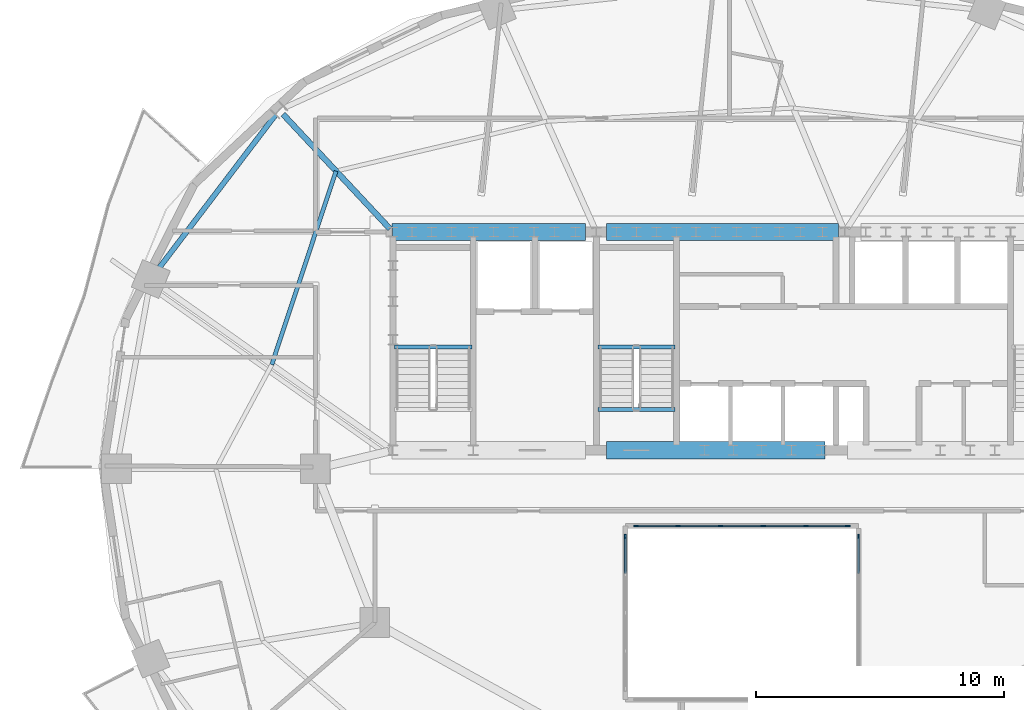
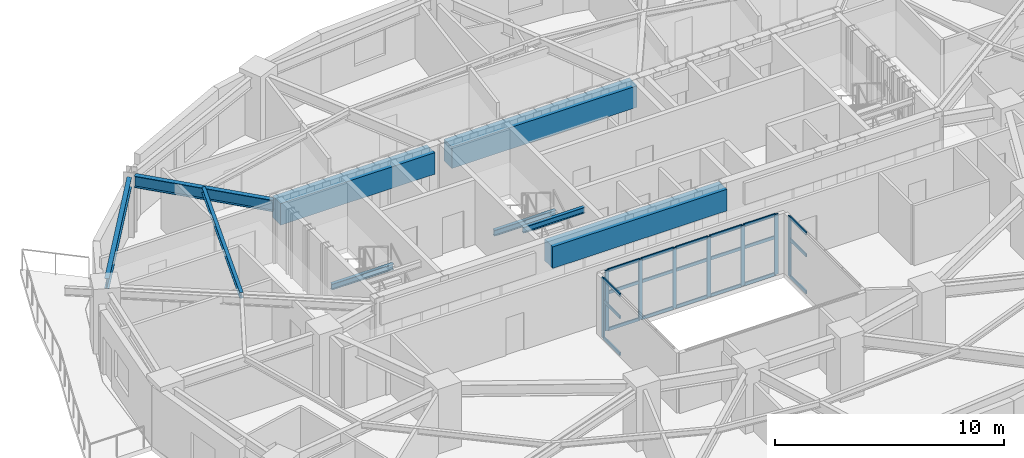
# One storey, part 3 of 13: 29 members, 9 beams, 3 elements without a shape of their own.
"""IFC4 building model written with IfcOpenShell, lengths in metres."""

from ifc_helpers import new_model, si_unit, direction, frame, origin, origin_2d, place, context, subcontext, project, spatial, rectangle, i_section, extrude, material, material_profile, profile_set, type_object, element, aggregate, save


model = new_model("IFC4")

# Units and contexts
model_context = context("Model", 3, precision=1e-05, world=origin(), true_north=direction((0.0, 1.0)))
body_context = subcontext(model_context, "Body", "Model", "MODEL_VIEW")
ifc_project = project(units=[si_unit("LENGTHUNIT", "METRE"), si_unit("AREAUNIT", "SQUARE_METRE"), si_unit("VOLUMEUNIT", "CUBIC_METRE"), si_unit("PLANEANGLEUNIT", "RADIAN"), si_unit("MASSUNIT", "GRAM", prefix="KILO")], contexts=[model_context])

# Site, building, storey
site_placement = place(None, origin())
site = spatial("IfcSite", under=ifc_project, at=site_placement, CompositionType="ELEMENT")
building_placement = place(site_placement, origin())
building = spatial("IfcBuilding", under=site, at=building_placement, Name="Haldorwick Loom Tower", CompositionType="ELEMENT")
storey_placement = place(building_placement, frame((0.0, 0.0, 178.60009765625)))
storey = spatial("IfcBuildingStorey", under=building, at=storey_placement, Name="L48", CompositionType="ELEMENT", Elevation=178.60009765625)

# Curtain wall, members
ifc_material_1 = material(Name="Thermally Broken Anodized Aluminium Curtain Wall Framing", Category="aluminium")
curtain_wall_type = type_object("IfcCurtainWallType", Name="ARC-CW-03", PredefinedType="NOTDEFINED", material=ifc_material_1)
curtain_wall_1_placement = place(storey_placement, origin())
curtain_wall_1 = element("IfcCurtainWall", 1, at=curtain_wall_1_placement, inside=storey, type_object=curtain_wall_type, Name="L48 Atrium Glazed Screen N", PredefinedType="NOTDEFINED")
ifc_material_profile_1 = material_profile(ifc_material_1, rectangle(XDim=0.06591796875, YDim=0.18505859375, at=origin_2d()), Name="ALU_MUL_66X185", Category="aluminium")
ifc_profile_set_1 = profile_set([ifc_material_profile_1], Name="Thermally Broken Anodized Aluminium Curtain Wall Framing")
member_type_1 = type_object("IfcMemberType", Name="ARC-CWM-03", PredefinedType="MULLION", material=ifc_profile_set_1)
member_1_placement = place(storey_placement, frame((31.73291015625, 23.699951171875, 0.0), z_axis=(0.0, 0.0, 1.0), x_axis=(0.0, 1.0, 0.0)))
member_1 = element("IfcMember", 2, at=member_1_placement, type_object=member_type_1, Name="CW-03 mullion 1", PredefinedType="MULLION", context=body_context, shape_type="SweptSolid", body=[
    extrude(rectangle(XDim=0.06591796875, YDim=0.18505859375, at=origin_2d()), origin(), (0.0, 0.0, 1.0), 3.2099609375),
])
member_2_placement = place(storey_placement, frame((33.419921875, 23.699951171875, 0.0), z_axis=(0.0, 0.0, 1.0), x_axis=(0.0, 1.0, 0.0)))
member_2 = element("IfcMember", 3, at=member_2_placement, type_object=member_type_1, Name="CW-03 mullion 2", PredefinedType="MULLION", context=body_context, shape_type="SweptSolid", body=[
    extrude(rectangle(XDim=0.06591796875, YDim=0.18505859375, at=origin_2d()), origin(), (0.0, 0.0, 1.0), 3.2099609375),
])
member_3_placement = place(storey_placement, frame((35.139892578125, 23.699951171875, 0.0), z_axis=(0.0, 0.0, 1.0), x_axis=(0.0, 1.0, 0.0)))
member_3 = element("IfcMember", 4, at=member_3_placement, type_object=member_type_1, Name="CW-03 mullion 3", PredefinedType="MULLION", context=body_context, shape_type="SweptSolid", body=[
    extrude(rectangle(XDim=0.06591796875, YDim=0.18505859375, at=origin_2d()), origin(), (0.0, 0.0, 1.0), 3.2099609375),
])
member_4_placement = place(storey_placement, frame((36.860107421875, 23.699951171875, 0.0), z_axis=(0.0, 0.0, 1.0), x_axis=(0.0, 1.0, 0.0)))
member_4 = element("IfcMember", 5, at=member_4_placement, type_object=member_type_1, Name="CW-03 mullion 4", PredefinedType="MULLION", context=body_context, shape_type="SweptSolid", body=[
    extrude(rectangle(XDim=0.06591796875, YDim=0.18505859375, at=origin_2d()), origin(), (0.0, 0.0, 1.0), 3.2099609375),
])
member_5_placement = place(storey_placement, frame((38.580078125, 23.699951171875, 0.0), z_axis=(0.0, 0.0, 1.0), x_axis=(0.0, 1.0, 0.0)))
member_5 = element("IfcMember", 6, at=member_5_placement, type_object=member_type_1, Name="CW-03 mullion 5", PredefinedType="MULLION", context=body_context, shape_type="SweptSolid", body=[
    extrude(rectangle(XDim=0.06591796875, YDim=0.18505859375, at=origin_2d()), origin(), (0.0, 0.0, 1.0), 3.2099609375),
])
member_6_placement = place(storey_placement, frame((40.26708984375, 23.699951171875, 0.0), z_axis=(0.0, 0.0, 1.0), x_axis=(0.0, 1.0, 0.0)))
member_6 = element("IfcMember", 7, at=member_6_placement, type_object=member_type_1, Name="CW-03 mullion 6", PredefinedType="MULLION", context=body_context, shape_type="SweptSolid", body=[
    extrude(rectangle(XDim=0.06591796875, YDim=0.18505859375, at=origin_2d()), origin(), (0.0, 0.0, 1.0), 3.2099609375),
])

# Curtain wall, member
curtain_wall_2_placement = place(storey_placement, origin())
curtain_wall_2 = element("IfcCurtainWall", 8, at=curtain_wall_2_placement, inside=storey, type_object=curtain_wall_type, Name="L48 Atrium Glazed Screen W", PredefinedType="NOTDEFINED")
member_7_placement = place(storey_placement, frame((31.300048828125, 23.26708984375, 0.0), z_axis=(0.0, 0.0, 1.0), x_axis=(-1.0, 0.0, 0.0)))
member_7 = element("IfcMember", 9, at=member_7_placement, type_object=member_type_1, Name="CW-03 mullion 5", PredefinedType="MULLION", context=body_context, shape_type="SweptSolid", body=[
    extrude(rectangle(XDim=0.06591796875, YDim=0.18505859375, at=origin_2d()), origin(), (0.0, 0.0, 1.0), 3.2099609375),
])

curtain_wall_3_placement = place(storey_placement, origin())
curtain_wall_3 = element("IfcCurtainWall", 10, at=curtain_wall_3_placement, inside=storey, type_object=curtain_wall_type, Name="L48 Atrium Glazed Screen E", PredefinedType="NOTDEFINED")
member_8_placement = place(storey_placement, frame((40.699951171875, 23.26708984375, 0.0), z_axis=(0.0, 0.0, 1.0), x_axis=(1.0, 0.0, 0.0)))
member_8 = element("IfcMember", 11, at=member_8_placement, type_object=member_type_1, Name="CW-03 mullion 1", PredefinedType="MULLION", context=body_context, shape_type="SweptSolid", body=[
    extrude(rectangle(XDim=0.06591796875, YDim=0.18505859375, at=origin_2d()), origin(), (0.0, 0.0, 1.0), 3.2099609375),
])

# Member
ifc_material_profile_2 = material_profile(ifc_material_1, rectangle(XDim=0.06591796875, YDim=0.1650390625, at=origin_2d()), Name="ALU_TRN_66X165", Category="aluminium")
ifc_profile_set_2 = profile_set([ifc_material_profile_2], Name="Thermally Broken Anodized Aluminium Curtain Wall Framing")
member_type_2 = type_object("IfcMemberType", Name="ARC-CWT-03", PredefinedType="USERDEFINED", material=ifc_profile_set_2)
member_9_placement = place(storey_placement, frame((31.76611328125, 23.699951171875, 0.032958984375), z_axis=(1.0, 0.0, 0.0), x_axis=(0.0, 1.0, 0.0)))
member_9 = element("IfcMember", 12, at=member_9_placement, type_object=member_type_2, Name="CW-03 transom 1.1", ObjectType="TRANSOM", PredefinedType="USERDEFINED", context=body_context, shape_type="SweptSolid", body=[
    extrude(rectangle(XDim=0.06591796875, YDim=0.1650390625, at=origin_2d()), origin(), (0.0, 0.0, 1.0), 1.620849609375),
])

member_10_placement = place(storey_placement, frame((31.76611328125, 23.699951171875, 2.0), z_axis=(1.0, 0.0, 0.0), x_axis=(0.0, 1.0, 0.0)))
member_10 = element("IfcMember", 13, at=member_10_placement, type_object=member_type_2, Name="CW-03 transom 1.2", ObjectType="TRANSOM", PredefinedType="USERDEFINED", context=body_context, shape_type="SweptSolid", body=[
    extrude(rectangle(XDim=0.06591796875, YDim=0.1650390625, at=origin_2d()), origin(), (0.0, 0.0, 1.0), 1.620849609375),
])

member_11_placement = place(storey_placement, frame((31.76611328125, 23.699951171875, 3.177001953125), z_axis=(1.0, 0.0, 0.0), x_axis=(0.0, 1.0, 0.0)))
member_11 = element("IfcMember", 14, at=member_11_placement, type_object=member_type_2, Name="CW-03 transom 1.3", ObjectType="TRANSOM", PredefinedType="USERDEFINED", context=body_context, shape_type="SweptSolid", body=[
    extrude(rectangle(XDim=0.06591796875, YDim=0.1650390625, at=origin_2d()), origin(), (0.0, 0.0, 1.0), 1.620849609375),
])

member_12_placement = place(storey_placement, frame((33.452880859375, 23.699951171875, 0.032958984375), z_axis=(1.0, 0.0, 0.0), x_axis=(0.0, 1.0, 0.0)))
member_12 = element("IfcMember", 15, at=member_12_placement, type_object=member_type_2, Name="CW-03 transom 2.1", ObjectType="TRANSOM", PredefinedType="USERDEFINED", context=body_context, shape_type="SweptSolid", body=[
    extrude(rectangle(XDim=0.06591796875, YDim=0.1650390625, at=origin_2d()), origin(), (0.0, 0.0, 1.0), 1.654052734375),
])

member_13_placement = place(storey_placement, frame((33.452880859375, 23.699951171875, 2.0), z_axis=(1.0, 0.0, 0.0), x_axis=(0.0, 1.0, 0.0)))
member_13 = element("IfcMember", 16, at=member_13_placement, type_object=member_type_2, Name="CW-03 transom 2.2", ObjectType="TRANSOM", PredefinedType="USERDEFINED", context=body_context, shape_type="SweptSolid", body=[
    extrude(rectangle(XDim=0.06591796875, YDim=0.1650390625, at=origin_2d()), origin(), (0.0, 0.0, 1.0), 1.654052734375),
])

member_14_placement = place(storey_placement, frame((33.452880859375, 23.699951171875, 3.177001953125), z_axis=(1.0, 0.0, 0.0), x_axis=(0.0, 1.0, 0.0)))
member_14 = element("IfcMember", 17, at=member_14_placement, type_object=member_type_2, Name="CW-03 transom 2.3", ObjectType="TRANSOM", PredefinedType="USERDEFINED", context=body_context, shape_type="SweptSolid", body=[
    extrude(rectangle(XDim=0.06591796875, YDim=0.1650390625, at=origin_2d()), origin(), (0.0, 0.0, 1.0), 1.654052734375),
])

member_15_placement = place(storey_placement, frame((35.173095703125, 23.699951171875, 0.032958984375), z_axis=(1.0, 0.0, 0.0), x_axis=(0.0, 1.0, 0.0)))
member_15 = element("IfcMember", 18, at=member_15_placement, type_object=member_type_2, Name="CW-03 transom 3.1", ObjectType="TRANSOM", PredefinedType="USERDEFINED", context=body_context, shape_type="SweptSolid", body=[
    extrude(rectangle(XDim=0.06591796875, YDim=0.1650390625, at=origin_2d()), origin(), (0.0, 0.0, 1.0), 1.65380859375),
])

member_16_placement = place(storey_placement, frame((35.173095703125, 23.699951171875, 2.0), z_axis=(1.0, 0.0, 0.0), x_axis=(0.0, 1.0, 0.0)))
member_16 = element("IfcMember", 19, at=member_16_placement, type_object=member_type_2, Name="CW-03 transom 3.2", ObjectType="TRANSOM", PredefinedType="USERDEFINED", context=body_context, shape_type="SweptSolid", body=[
    extrude(rectangle(XDim=0.06591796875, YDim=0.1650390625, at=origin_2d()), origin(), (0.0, 0.0, 1.0), 1.65380859375),
])

member_17_placement = place(storey_placement, frame((35.173095703125, 23.699951171875, 3.177001953125), z_axis=(1.0, 0.0, 0.0), x_axis=(0.0, 1.0, 0.0)))
member_17 = element("IfcMember", 20, at=member_17_placement, type_object=member_type_2, Name="CW-03 transom 3.3", ObjectType="TRANSOM", PredefinedType="USERDEFINED", context=body_context, shape_type="SweptSolid", body=[
    extrude(rectangle(XDim=0.06591796875, YDim=0.1650390625, at=origin_2d()), origin(), (0.0, 0.0, 1.0), 1.65380859375),
])

member_18_placement = place(storey_placement, frame((36.89306640625, 23.699951171875, 0.032958984375), z_axis=(1.0, 0.0, 0.0), x_axis=(0.0, 1.0, 0.0)))
member_18 = element("IfcMember", 21, at=member_18_placement, type_object=member_type_2, Name="CW-03 transom 4.1", ObjectType="TRANSOM", PredefinedType="USERDEFINED", context=body_context, shape_type="SweptSolid", body=[
    extrude(rectangle(XDim=0.06591796875, YDim=0.1650390625, at=origin_2d()), origin(), (0.0, 0.0, 1.0), 1.654052734375),
])

member_19_placement = place(storey_placement, frame((36.89306640625, 23.699951171875, 2.0), z_axis=(1.0, 0.0, 0.0), x_axis=(0.0, 1.0, 0.0)))
member_19 = element("IfcMember", 22, at=member_19_placement, type_object=member_type_2, Name="CW-03 transom 4.2", ObjectType="TRANSOM", PredefinedType="USERDEFINED", context=body_context, shape_type="SweptSolid", body=[
    extrude(rectangle(XDim=0.06591796875, YDim=0.1650390625, at=origin_2d()), origin(), (0.0, 0.0, 1.0), 1.654052734375),
])

member_20_placement = place(storey_placement, frame((36.89306640625, 23.699951171875, 3.177001953125), z_axis=(1.0, 0.0, 0.0), x_axis=(0.0, 1.0, 0.0)))
member_20 = element("IfcMember", 23, at=member_20_placement, type_object=member_type_2, Name="CW-03 transom 4.3", ObjectType="TRANSOM", PredefinedType="USERDEFINED", context=body_context, shape_type="SweptSolid", body=[
    extrude(rectangle(XDim=0.06591796875, YDim=0.1650390625, at=origin_2d()), origin(), (0.0, 0.0, 1.0), 1.654052734375),
])

member_21_placement = place(storey_placement, frame((38.613037109375, 23.699951171875, 0.032958984375), z_axis=(1.0, 0.0, 0.0), x_axis=(0.0, 1.0, 0.0)))
member_21 = element("IfcMember", 24, at=member_21_placement, type_object=member_type_2, Name="CW-03 transom 5.1", ObjectType="TRANSOM", PredefinedType="USERDEFINED", context=body_context, shape_type="SweptSolid", body=[
    extrude(rectangle(XDim=0.06591796875, YDim=0.1650390625, at=origin_2d()), origin(), (0.0, 0.0, 1.0), 1.620849609375),
])

member_22_placement = place(storey_placement, frame((38.613037109375, 23.699951171875, 2.0), z_axis=(1.0, 0.0, 0.0), x_axis=(0.0, 1.0, 0.0)))
member_22 = element("IfcMember", 25, at=member_22_placement, type_object=member_type_2, Name="CW-03 transom 5.2", ObjectType="TRANSOM", PredefinedType="USERDEFINED", context=body_context, shape_type="SweptSolid", body=[
    extrude(rectangle(XDim=0.06591796875, YDim=0.1650390625, at=origin_2d()), origin(), (0.0, 0.0, 1.0), 1.620849609375),
])

member_23_placement = place(storey_placement, frame((38.613037109375, 23.699951171875, 3.177001953125), z_axis=(1.0, 0.0, 0.0), x_axis=(0.0, 1.0, 0.0)))
member_23 = element("IfcMember", 26, at=member_23_placement, type_object=member_type_2, Name="CW-03 transom 5.3", ObjectType="TRANSOM", PredefinedType="USERDEFINED", context=body_context, shape_type="SweptSolid", body=[
    extrude(rectangle(XDim=0.06591796875, YDim=0.1650390625, at=origin_2d()), origin(), (0.0, 0.0, 1.0), 1.620849609375),
])

aggregate(curtain_wall_1, [member_1, member_2, member_3, member_4, member_5, member_6, member_9, member_10, member_11, member_12, member_13, member_14, member_15, member_16, member_17, member_18, member_19, member_20, member_21, member_22, member_23])

member_24_placement = place(storey_placement, frame((31.300048828125, 21.782958984375, 0.032958984375), z_axis=(0.0, 1.0, 0.0), x_axis=(-1.0, 0.0, 0.0)))
member_24 = element("IfcMember", 27, at=member_24_placement, type_object=member_type_2, Name="CW-03 transom 4.1", ObjectType="TRANSOM", PredefinedType="USERDEFINED", context=body_context, shape_type="SweptSolid", body=[
    extrude(rectangle(XDim=0.06591796875, YDim=0.1650390625, at=origin_2d()), origin(), (0.0, 0.0, 1.0), 1.450927734375),
])

member_25_placement = place(storey_placement, frame((31.300048828125, 21.782958984375, 2.0), z_axis=(0.0, 1.0, 0.0), x_axis=(-1.0, 0.0, 0.0)))
member_25 = element("IfcMember", 28, at=member_25_placement, type_object=member_type_2, Name="CW-03 transom 4.2", ObjectType="TRANSOM", PredefinedType="USERDEFINED", context=body_context, shape_type="SweptSolid", body=[
    extrude(rectangle(XDim=0.06591796875, YDim=0.1650390625, at=origin_2d()), origin(), (0.0, 0.0, 1.0), 1.450927734375),
])

member_26_placement = place(storey_placement, frame((31.300048828125, 21.782958984375, 3.177001953125), z_axis=(0.0, 1.0, 0.0), x_axis=(-1.0, 0.0, 0.0)))
member_26 = element("IfcMember", 29, at=member_26_placement, type_object=member_type_2, Name="CW-03 transom 4.3", ObjectType="TRANSOM", PredefinedType="USERDEFINED", context=body_context, shape_type="SweptSolid", body=[
    extrude(rectangle(XDim=0.06591796875, YDim=0.1650390625, at=origin_2d()), origin(), (0.0, 0.0, 1.0), 1.450927734375),
])

aggregate(curtain_wall_2, [member_7, member_24, member_25, member_26])

member_27_placement = place(storey_placement, frame((40.699951171875, 23.23388671875, 0.032958984375), z_axis=(0.0, -1.0, 0.0), x_axis=(1.0, 0.0, 0.0)))
member_27 = element("IfcMember", 30, at=member_27_placement, type_object=member_type_2, Name="CW-03 transom 1.1", ObjectType="TRANSOM", PredefinedType="USERDEFINED", context=body_context, shape_type="SweptSolid", body=[
    extrude(rectangle(XDim=0.06591796875, YDim=0.1650390625, at=origin_2d()), origin(), (0.0, 0.0, 1.0), 1.450927734375),
])

member_28_placement = place(storey_placement, frame((40.699951171875, 23.23388671875, 2.0), z_axis=(0.0, -1.0, 0.0), x_axis=(1.0, 0.0, 0.0)))
member_28 = element("IfcMember", 31, at=member_28_placement, type_object=member_type_2, Name="CW-03 transom 1.2", ObjectType="TRANSOM", PredefinedType="USERDEFINED", context=body_context, shape_type="SweptSolid", body=[
    extrude(rectangle(XDim=0.06591796875, YDim=0.1650390625, at=origin_2d()), origin(), (0.0, 0.0, 1.0), 1.450927734375),
])

member_29_placement = place(storey_placement, frame((40.699951171875, 23.23388671875, 3.177001953125), z_axis=(0.0, -1.0, 0.0), x_axis=(1.0, 0.0, 0.0)))
member_29 = element("IfcMember", 32, at=member_29_placement, type_object=member_type_2, Name="CW-03 transom 1.3", ObjectType="TRANSOM", PredefinedType="USERDEFINED", context=body_context, shape_type="SweptSolid", body=[
    extrude(rectangle(XDim=0.06591796875, YDim=0.1650390625, at=origin_2d()), origin(), (0.0, 0.0, 1.0), 1.450927734375),
])

aggregate(curtain_wall_3, [member_8, member_27, member_28, member_29])

# Beams
ifc_material_2 = material(Name="Concrete C60 (60 MPa)", Category="concrete")
ifc_material_profile_3 = material_profile(ifc_material_2, rectangle(XDim=0.699951171875, YDim=1.14990234375, at=origin_2d()), Name="RC700X1150", Category="concrete")
ifc_profile_set_3 = profile_set([ifc_material_profile_3], Name="Concrete C60 (60 MPa)")
beam_type_1 = type_object("IfcBeamType", Name="STR-BM-CB1150", PredefinedType="LINTEL", material=ifc_profile_set_3)
beam_1_placement = place(storey_placement, frame((21.89990234375, 35.550048828125, 2.635009765625), z_axis=(1.0, 0.0, 0.0), x_axis=(0.0, 1.0, 0.0)))
element("IfcBeam", 33, at=beam_1_placement, inside=storey, type_object=beam_type_1, Name="L48 Core Coupling Beam CB-N1", PredefinedType="LINTEL", context=body_context, shape_type="SweptSolid", body=[
    extrude(rectangle(XDim=0.699951171875, YDim=1.14990234375, at=origin_2d()), origin(), (0.0, 0.0, 1.0), 7.800048828125),
])
beam_2_placement = place(storey_placement, frame((30.550048828125, 35.550048828125, 2.635009765625), z_axis=(1.0, 0.0, 0.0), x_axis=(0.0, 1.0, 0.0)))
element("IfcBeam", 34, at=beam_2_placement, inside=storey, type_object=beam_type_1, Name="L48 Core Coupling Beam CB-N2", PredefinedType="LINTEL", context=body_context, shape_type="SweptSolid", body=[
    extrude(rectangle(XDim=0.699951171875, YDim=1.14990234375, at=origin_2d()), origin(), (0.0, 0.0, 1.0), 9.349853515625),
])
beam_3_placement = place(storey_placement, frame((30.550048828125, 26.75, 2.635009765625), z_axis=(1.0, 0.0, 0.0), x_axis=(0.0, 1.0, 0.0)))
element("IfcBeam", 35, at=beam_3_placement, inside=storey, type_object=beam_type_1, Name="L48 Core Coupling Beam CB-S2", PredefinedType="LINTEL", context=body_context, shape_type="SweptSolid", body=[
    extrude(rectangle(XDim=0.699951171875, YDim=1.14990234375, at=origin_2d()), origin(), (0.0, 0.0, 1.0), 8.800048828125),
])
ifc_material_3 = material(Name="Steel CSA G40.21 350W", Category="steel")
ifc_material_profile_4 = material_profile(ifc_material_3, i_section(OverallWidth=0.166015625, OverallDepth=0.31298828125, WebThickness=0.006591796875, FlangeThickness=0.01123046875, at=origin_2d()), Name="W310X45", Category="steel")
ifc_profile_set_4 = profile_set([ifc_material_profile_4], Name="Steel CSA G40.21 350W")
beam_type_2 = type_object("IfcBeamType", Name="STR-BM-J310", PredefinedType="JOIST", material=ifc_profile_set_4)
beam_4_placement = place(storey_placement, frame((19.63720703125, 38.007080078125, 3.053466796875), z_axis=(-0.314980632705, -0.949098098734, 0.0), x_axis=(0.949098098734, -0.314980632705, 0.0)))
element("IfcBeam", 36, at=beam_4_placement, inside=storey, type_object=beam_type_2, Name="L48 Mid-Bay Secondary Joist 7", PredefinedType="JOIST", context=body_context, shape_type="SweptSolid", body=[
    extrude(i_section(OverallWidth=0.166015625, OverallDepth=0.31298828125, WebThickness=0.006591796875, FlangeThickness=0.01123046875, at=origin_2d()), origin(), (0.0, 0.0, 1.0), 8.223876953125),
])
ifc_material_profile_5 = material_profile(ifc_material_3, i_section(OverallWidth=0.2119140625, OverallDepth=0.5439453125, WebThickness=0.01318359375, FlangeThickness=0.021240234375, at=origin_2d()), Name="W530X123", Category="steel")
ifc_profile_set_5 = profile_set([ifc_material_profile_5], Name="Steel CSA G40.21 350W")
beam_type_3 = type_object("IfcBeamType", Name="STR-BM-SP530", PredefinedType="SPANDREL", material=ifc_profile_set_5)
beam_5_placement = place(storey_placement, frame((17.208251953125, 40.28515625, 2.93798828125), z_axis=(-0.605421569293, -0.79590497136, 0.0), x_axis=(0.79590497136, -0.605421569293, 0.0)))
element("IfcBeam", 37, at=beam_5_placement, inside=storey, type_object=beam_type_3, Name="L48 Perimeter Spandrel 7", PredefinedType="SPANDREL", context=body_context, shape_type="SweptSolid", body=[
    extrude(i_section(OverallWidth=0.2119140625, OverallDepth=0.5439453125, WebThickness=0.01318359375, FlangeThickness=0.021240234375, at=origin_2d()), origin(), (0.0, 0.0, 1.0), 7.81201171875),
])
ifc_material_profile_6 = material_profile(ifc_material_3, i_section(OverallWidth=0.166015625, OverallDepth=0.31298828125, WebThickness=0.006591796875, FlangeThickness=0.01123046875, at=origin_2d()), Name="W310X45", Category="steel")
ifc_profile_set_6 = profile_set([ifc_material_profile_6], Name="Steel CSA G40.21 350W")
beam_type_4 = type_object("IfcBeamType", Name="STR-BM-STRM", PredefinedType="BEAM", material=ifc_profile_set_6)
for number, where, z_axis, x_axis, name in (
    (38, (21.989990234375, 30.919921875, 1.368408203125), (1.0, 0.0, 0.0), (0.0, 1.0, 0.0), "L48 Stair ST-01 Half-Landing Trimmer 1"),
    (39, (30.18994140625, 28.39990234375, 3.053466796875), (1.0, 0.0, 0.0), (0.0, 1.0, 0.0), "L48 Stair ST-03 Landing Edge Trimmer"),
    (40, (30.18994140625, 30.919921875, 1.368408203125), (1.0, 0.0, 0.0), (0.0, 1.0, 0.0), "L48 Stair ST-03 Half-Landing Trimmer 1"),
):
    element("IfcBeam", number, at=place(storey_placement, frame(where, z_axis=z_axis, x_axis=x_axis)), inside=storey, type_object=beam_type_4, Name=name, PredefinedType="BEAM", context=body_context, shape_type="SweptSolid", body=[
        extrude(i_section(OverallWidth=0.166015625, OverallDepth=0.31298828125, WebThickness=0.006591796875, FlangeThickness=0.01123046875, at=origin_2d()), origin(), (0.0, 0.0, 1.0), 3.1201171875),
    ])
ifc_material_profile_7 = material_profile(ifc_material_3, i_section(OverallWidth=0.22998046875, OverallDepth=0.616943359375, WebThickness=0.01318359375, FlangeThickness=0.022216796875, at=origin_2d()), Name="W610X140", Category="steel")
ifc_profile_set_7 = profile_set([ifc_material_profile_7], Name="Steel CSA G40.21 350W")
beam_type_5 = type_object("IfcBeamType", Name="STR-BM-W610B", PredefinedType="BEAM", material=ifc_profile_set_7)
beam_6_placement = place(storey_placement, frame((21.80859375, 35.68017578125, 2.9013671875), z_axis=(-0.682245282958, 0.731123364339, 0.0), x_axis=(-0.731123364339, -0.682245282958, 0.0)))
element("IfcBeam", 41, at=beam_6_placement, inside=storey, type_object=beam_type_5, Name="L48 Radial Floor Girder 7", PredefinedType="BEAM", context=body_context, shape_type="SweptSolid", body=[
    extrude(i_section(OverallWidth=0.22998046875, OverallDepth=0.616943359375, WebThickness=0.01318359375, FlangeThickness=0.022216796875, at=origin_2d()), origin(), (0.0, 0.0, 1.0), 6.318603515625),
])

save(model, "model.ifc")
